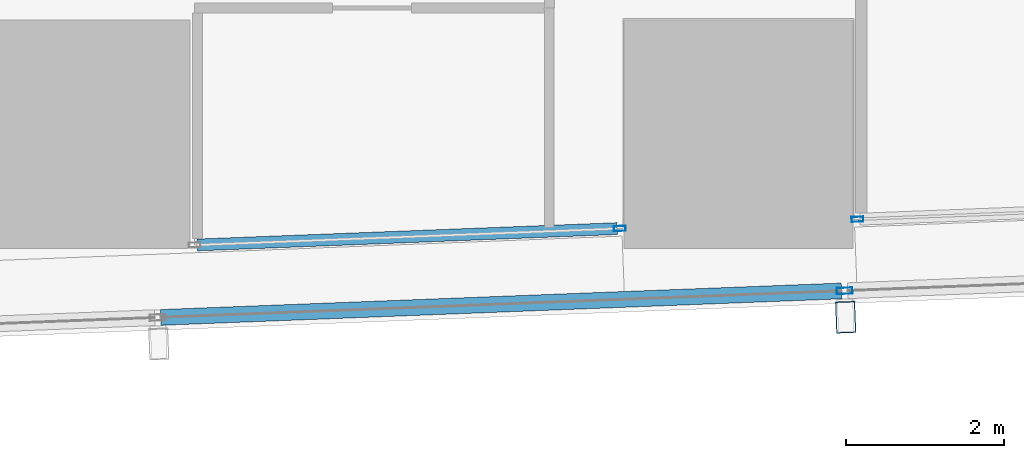
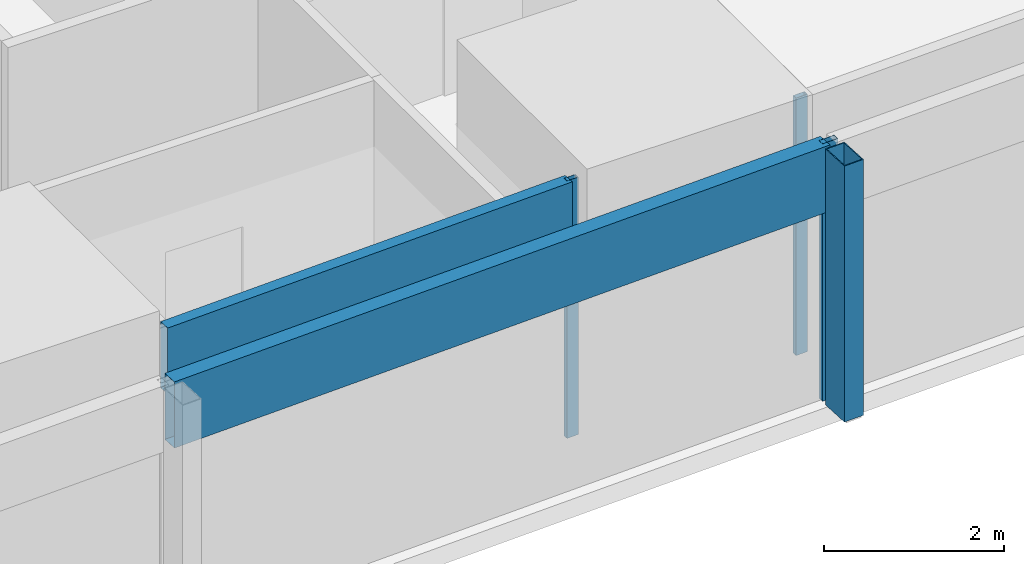
# One storey, part 11 of 40: 6 members, 3 elements without a shape of their own.
"""IFC4 building model written with IfcOpenShell, lengths in metres."""

from ifc_helpers import new_model, si_unit, direction, frame, origin, origin_2d, place, context, subcontext, project, spatial, hollow_rectangle, extrude, material, material_profile, profile_set, type_object, element, aggregate, save


model = new_model("IFC4")

# Units and contexts
model_context = context("Model", 3, precision=1e-05, world=origin(), true_north=direction((0.0, 1.0)))
body_context = subcontext(model_context, "Body", "Model", "MODEL_VIEW")
ifc_project = project(units=[si_unit("LENGTHUNIT", "METRE"), si_unit("AREAUNIT", "SQUARE_METRE"), si_unit("VOLUMEUNIT", "CUBIC_METRE"), si_unit("PLANEANGLEUNIT", "RADIAN"), si_unit("MASSUNIT", "GRAM", prefix="KILO")], contexts=[model_context])

# Site, building, storey
site_placement = place(None, origin())
site = spatial("IfcSite", under=ifc_project, at=site_placement, CompositionType="ELEMENT")
building_placement = place(site_placement, origin())
building = spatial("IfcBuilding", under=site, at=building_placement, Name="Rekha Terrace Tower", CompositionType="ELEMENT")
storey_placement = place(building_placement, frame((0.0, 0.0, 95.300048828125)))
storey = spatial("IfcBuildingStorey", under=building, at=storey_placement, Name="L23", CompositionType="ELEMENT", Elevation=95.300048828125)

# Curtain wall, member
ifc_material_1 = material(Name="Aluminium framing", Category="aluminium")
curtain_wall_type_1 = type_object("IfcCurtainWallType", Name="CW2 double skin outer glazing", PredefinedType="USERDEFINED", material=ifc_material_1)
curtain_wall_1_placement = place(storey_placement, origin())
curtain_wall_1 = element("IfcCurtainWall", 1, at=curtain_wall_1_placement, inside=storey, type_object=curtain_wall_type_1, Name="CW2 double skin outer glazing", ObjectType="DOUBLE SKIN OUTER GLAZING", PredefinedType="USERDEFINED")
ifc_material_2 = material(Name="Steel S355 with fluorocarbon finish", Category="steel")
ifc_material_profile_1 = material_profile(ifc_material_2, hollow_rectangle(XDim=0.25, YDim=0.39990234375, WallThickness=0.012451171875, at=origin_2d()), Name="RHS400x250x12.5")
ifc_profile_set_1 = profile_set([ifc_material_profile_1], Name="Steel S355 with fluorocarbon finish")
member_type_1 = type_object("IfcMemberType", Name="BL1 facade blade RHS 400 x 250", PredefinedType="USERDEFINED", material=ifc_profile_set_1)
member_1_placement = place(storey_placement, frame((60.1572265625, 14.480712890625, 0.02001953125), z_axis=(0.0, 0.0, 1.0), x_axis=(0.999243494356, 0.038890088543, 0.0)))
member_1 = element("IfcMember", 2, at=member_1_placement, type_object=member_type_1, Name="Facade blade", ObjectType="FACADE BLADE", PredefinedType="USERDEFINED", context=body_context, shape_type="SweptSolid", body=[
    extrude(hollow_rectangle(XDim=0.25, YDim=0.39990234375, WallThickness=0.012451171875, at=origin_2d()), origin(), (0.0, 0.0, 1.0), 3.47998046875),
])

curtain_wall_type_2 = type_object("IfcCurtainWallType", Name="CW1 double skin inner glazing", PredefinedType="USERDEFINED", material=ifc_material_1)
curtain_wall_2_placement = place(storey_placement, origin())
curtain_wall_2 = element("IfcCurtainWall", 3, at=curtain_wall_2_placement, inside=storey, type_object=curtain_wall_type_2, Name="CW1 double skin inner glazing", ObjectType="DOUBLE SKIN INNER GLAZING", PredefinedType="USERDEFINED")
ifc_material_3 = material(Name="Aluminium mullion section", Category="aluminium")
ifc_material_profile_2 = material_profile(ifc_material_3, hollow_rectangle(XDim=0.06494140625, YDim=0.14990234375, WallThickness=0.00390625, at=origin_2d()), Name="AL RHS 65x150")
ifc_profile_set_2 = profile_set([ifc_material_profile_2], Name="Aluminium mullion section")
member_type_2 = type_object("IfcMemberType", Name="CW1 mullion RHS 65 x 150", PredefinedType="MULLION", material=ifc_profile_set_2)
member_2_placement = place(storey_placement, frame((57.2939453125, 15.605224609375, 0.0), z_axis=(0.0, 0.0, 1.0), x_axis=(-0.038889971258, 0.999243498921, 0.0)))
member_2 = element("IfcMember", 4, at=member_2_placement, type_object=member_type_2, Name="CW1 mullion 2", PredefinedType="MULLION", context=body_context, shape_type="SweptSolid", body=[
    extrude(hollow_rectangle(XDim=0.06494140625, YDim=0.14990234375, WallThickness=0.00390625, at=origin_2d()), origin(), (0.0, 0.0, 1.0), 3.5),
])

curtain_wall_3_placement = place(storey_placement, origin())
curtain_wall_3 = element("IfcCurtainWall", 5, at=curtain_wall_3_placement, inside=storey, type_object=curtain_wall_type_2, Name="CW1 double skin inner glazing", ObjectType="DOUBLE SKIN INNER GLAZING", PredefinedType="USERDEFINED")
member_3_placement = place(storey_placement, frame((60.30615234375, 15.722412109375, 0.0), z_axis=(0.0, 0.0, 1.0), x_axis=(-0.038889971433, 0.999243498914, 0.0)))
member_3 = element("IfcMember", 6, at=member_3_placement, type_object=member_type_2, Name="CW1 mullion 1", PredefinedType="MULLION", context=body_context, shape_type="SweptSolid", body=[
    extrude(hollow_rectangle(XDim=0.06494140625, YDim=0.14990234375, WallThickness=0.00390625, at=origin_2d()), origin(), (0.0, 0.0, 1.0), 3.5),
])
aggregate(curtain_wall_3, [member_3])

# Member
ifc_material_4 = material(Name="Insulated aluminium spandrel box", Category="aluminium")
ifc_material_profile_3 = material_profile(ifc_material_4, hollow_rectangle(XDim=0.14990234375, YDim=0.89990234375, WallThickness=0.0029296875, at=origin_2d()), Name="AL SPANDREL BOX 150x900")
ifc_profile_set_3 = profile_set([ifc_material_profile_3], Name="Insulated aluminium spandrel box")
member_type_3 = type_object("IfcMemberType", Name="CW1 spandrel transom 150 x 900", PredefinedType="USERDEFINED", material=ifc_profile_set_3)
member_4_placement = place(storey_placement, frame((51.938720703125, 15.396728515625, 3.050048828125), z_axis=(0.999242645651, 0.0389118891, 0.0), x_axis=(-0.0389118891, 0.999242645651, 0.0)))
member_4 = element("IfcMember", 7, at=member_4_placement, type_object=member_type_3, Name="CW1 spandrel transom 1", ObjectType="TRANSOM", PredefinedType="USERDEFINED", context=body_context, shape_type="SweptSolid", body=[
    extrude(hollow_rectangle(XDim=0.14990234375, YDim=0.89990234375, WallThickness=0.0029296875, at=origin_2d()), origin(), (0.0, 0.0, 1.0), 5.326904296875),
])

aggregate(curtain_wall_2, [member_2, member_4])

ifc_material_profile_4 = material_profile(ifc_material_3, hollow_rectangle(XDim=0.080078125, YDim=0.199951171875, WallThickness=0.00390625, at=origin_2d()), Name="AL RHS 80x200")
ifc_profile_set_4 = profile_set([ifc_material_profile_4], Name="Aluminium mullion section")
member_type_4 = type_object("IfcMemberType", Name="CW2 mullion RHS 80 x 200", PredefinedType="MULLION", material=ifc_profile_set_4)
member_5_placement = place(storey_placement, frame((60.14404296875, 14.8154296875, 0.0), z_axis=(0.0, 0.0, 1.0), x_axis=(-0.038889971345, 0.999243498917, 0.0)))
member_5 = element("IfcMember", 8, at=member_5_placement, type_object=member_type_4, Name="CW2 mullion 5", PredefinedType="MULLION", context=body_context, shape_type="SweptSolid", body=[
    extrude(hollow_rectangle(XDim=0.080078125, YDim=0.199951171875, WallThickness=0.00390625, at=origin_2d()), origin(), (0.0, 0.0, 1.0), 3.5),
])

ifc_material_profile_5 = material_profile(ifc_material_4, hollow_rectangle(XDim=0.199951171875, YDim=0.89990234375, WallThickness=0.0029296875, at=origin_2d()), Name="AL SPANDREL BOX 200x900")
ifc_profile_set_5 = profile_set([ifc_material_profile_5], Name="Insulated aluminium spandrel box")
member_type_5 = type_object("IfcMemberType", Name="CW2 spandrel transom 200 x 900", PredefinedType="USERDEFINED", material=ifc_profile_set_5)
member_6_placement = place(storey_placement, frame((51.47900390625, 14.478271484375, 3.050048828125), z_axis=(0.999243481303, 0.038890423923, 0.0), x_axis=(-0.038890423923, 0.999243481303, 0.0)))
member_6 = element("IfcMember", 9, at=member_6_placement, type_object=member_type_5, Name="CW2 spandrel transom 4", ObjectType="TRANSOM", PredefinedType="USERDEFINED", context=body_context, shape_type="SweptSolid", body=[
    extrude(hollow_rectangle(XDim=0.199951171875, YDim=0.89990234375, WallThickness=0.0029296875, at=origin_2d()), origin(), (0.0, 0.0, 1.0), 8.6318359375),
])

aggregate(curtain_wall_1, [member_5, member_6, member_1])

save(model, "model.ifc")
